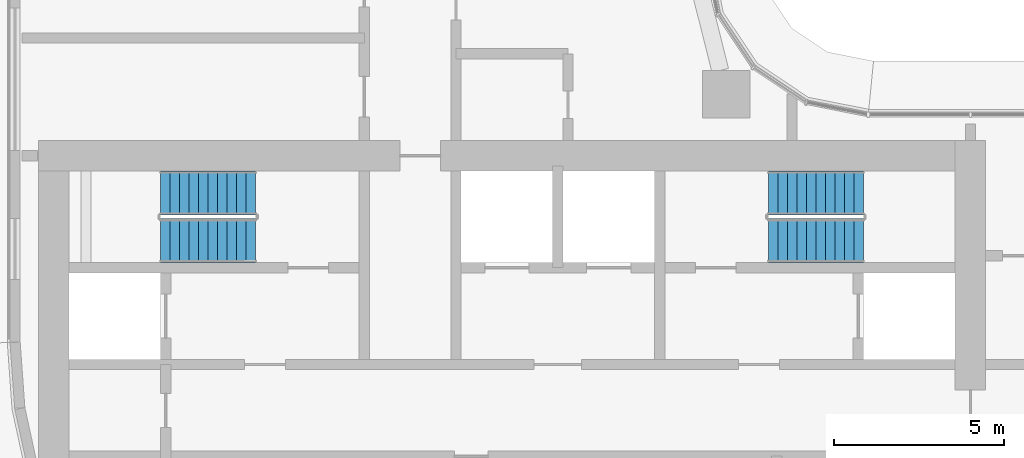
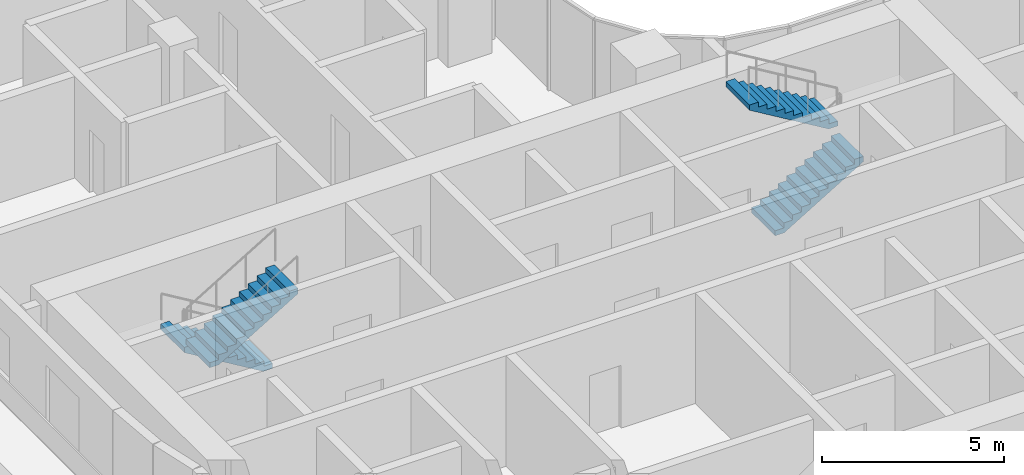
# One storey, part 28 of 39: 4 stair flights, 2 elements without a shape of their own.
"""IFC4 building model written with IfcOpenShell, lengths in metres."""

from ifc_helpers import new_model, si_unit, direction, frame, origin, place, context, subcontext, project, spatial, triangles, source, transform, mapped, material, type_object, element, aggregate, save


model = new_model("IFC4")

# Units and contexts
model_context = context("Model", 3, precision=1e-05, world=origin(), true_north=direction((0.0, 1.0)))
body_context = subcontext(model_context, "Body", "Model", "MODEL_VIEW")
ifc_project = project(units=[si_unit("LENGTHUNIT", "METRE"), si_unit("AREAUNIT", "SQUARE_METRE"), si_unit("VOLUMEUNIT", "CUBIC_METRE"), si_unit("PLANEANGLEUNIT", "RADIAN"), si_unit("MASSUNIT", "GRAM", prefix="KILO")], contexts=[model_context])

# Site, building, storey
site_placement = place(None, origin())
site = spatial("IfcSite", under=ifc_project, at=site_placement, CompositionType="ELEMENT")
building_placement = place(site_placement, origin())
building = spatial("IfcBuilding", under=site, at=building_placement, Name="Ogive Portal Towers", CompositionType="ELEMENT")
storey_placement = place(building_placement, frame((0.0, 0.0, 44.60009765625)))
storey = spatial("IfcBuildingStorey", under=building, at=storey_placement, Name="L09", CompositionType="ELEMENT", Elevation=44.60009765625)

# Stair, stair flights
ifc_material = material(Name="Concrete C40/50", Category="concrete")
stair_type = type_object("IfcStairType", Name="INT-STAIR", PredefinedType="HALF_TURN_STAIR", material=ifc_material)
stair_1_placement = place(storey_placement, origin())
stair_1 = element("IfcStair", 1, at=stair_1_placement, inside=storey, type_object=stair_type, Name="L09 Exit Stair ST-A1", PredefinedType="HALF_TURN_STAIR")
stair_flight_type = type_object("IfcStairFlightType", Name="INT-FLIGHT", PredefinedType="STRAIGHT", material=ifc_material)
shared_shape = source(origin(), body_context, "Body", "Tessellation", [
    triangles([(0.0, -0.650146484375, 0.0), (0.0, -0.376220703125, 0.0), (0.0, -0.192626953125, 0.0), (0.0, -0.081298828125, 0.0), (0.0, -0.024169921875, 0.0), (0.0, -0.003173828125, 0.0), (0.0, 0.0, 0.0), (0.0, 0.0029296875, 0.0), (0.0, 0.02392578125, 0.0), (0.0, 0.0810546875, 0.0), (0.0, 0.1923828125, 0.0), (0.0, 0.3759765625, 0.0), (0.0, 0.64990234375, 0.0), (0.0, -0.650146484375, 0.168212890625), (0.0, -0.376220703125, 0.168212890625), (0.0, -0.192626953125, 0.168212890625), (0.0, -0.081298828125, 0.168212890625), (0.0, -0.024169921875, 0.168212890625), (0.0, -0.003173828125, 0.168212890625), (0.0, 0.0, 0.168212890625), (0.0, 0.0029296875, 0.168212890625), (0.0, 0.02392578125, 0.168212890625), (0.0, 0.0810546875, 0.168212890625), (0.0, 0.1923828125, 0.168212890625), (0.0, 0.3759765625, 0.168212890625), (0.0, 0.64990234375, 0.168212890625), (0.280029296875, -0.650146484375, 0.168212890625), (0.280029296875, -0.376220703125, 0.168212890625), (0.280029296875, -0.192626953125, 0.168212890625), (0.280029296875, -0.081298828125, 0.168212890625), (0.280029296875, -0.024169921875, 0.168212890625), (0.280029296875, -0.003173828125, 0.168212890625), (0.280029296875, 0.0, 0.168212890625), (0.280029296875, 0.0029296875, 0.168212890625), (0.280029296875, 0.02392578125, 0.168212890625), (0.280029296875, 0.0810546875, 0.168212890625), (0.280029296875, 0.1923828125, 0.168212890625), (0.280029296875, 0.3759765625, 0.168212890625), (0.280029296875, 0.64990234375, 0.168212890625), (0.280029296875, -0.650146484375, 0.33642578125), (0.280029296875, -0.376220703125, 0.33642578125), (0.280029296875, -0.192626953125, 0.33642578125), (0.280029296875, -0.081298828125, 0.33642578125), (0.280029296875, -0.024169921875, 0.33642578125), (0.280029296875, -0.003173828125, 0.33642578125), (0.280029296875, 0.0, 0.33642578125), (0.280029296875, 0.0029296875, 0.33642578125), (0.280029296875, 0.02392578125, 0.33642578125), (0.280029296875, 0.0810546875, 0.33642578125), (0.280029296875, 0.1923828125, 0.33642578125), (0.280029296875, 0.3759765625, 0.33642578125), (0.280029296875, 0.64990234375, 0.33642578125), (0.56005859375, -0.650146484375, 0.33642578125), (0.56005859375, -0.376220703125, 0.33642578125), (0.56005859375, -0.192626953125, 0.33642578125), (0.56005859375, -0.081298828125, 0.33642578125), (0.56005859375, -0.024169921875, 0.33642578125), (0.56005859375, -0.003173828125, 0.33642578125), (0.56005859375, 0.0, 0.33642578125), (0.56005859375, 0.0029296875, 0.33642578125), (0.56005859375, 0.02392578125, 0.33642578125), (0.56005859375, 0.0810546875, 0.33642578125), (0.56005859375, 0.1923828125, 0.33642578125), (0.56005859375, 0.3759765625, 0.33642578125), (0.56005859375, 0.64990234375, 0.33642578125), (0.56005859375, -0.650146484375, 0.504638671875), (0.56005859375, -0.376220703125, 0.504638671875), (0.56005859375, -0.192626953125, 0.504638671875), (0.56005859375, -0.081298828125, 0.504638671875), (0.56005859375, -0.024169921875, 0.504638671875), (0.56005859375, -0.003173828125, 0.504638671875), (0.56005859375, 0.0, 0.504638671875), (0.56005859375, 0.0029296875, 0.504638671875), (0.56005859375, 0.02392578125, 0.504638671875), (0.56005859375, 0.0810546875, 0.504638671875), (0.56005859375, 0.1923828125, 0.504638671875), (0.56005859375, 0.3759765625, 0.504638671875), (0.56005859375, 0.64990234375, 0.504638671875), (0.840087890625, -0.650146484375, 0.504638671875), (0.840087890625, -0.376220703125, 0.504638671875), (0.840087890625, -0.192626953125, 0.504638671875), (0.840087890625, -0.081298828125, 0.504638671875), (0.840087890625, -0.024169921875, 0.504638671875), (0.840087890625, -0.003173828125, 0.504638671875), (0.840087890625, 0.0, 0.504638671875), (0.840087890625, 0.0029296875, 0.504638671875), (0.840087890625, 0.02392578125, 0.504638671875), (0.840087890625, 0.0810546875, 0.504638671875), (0.840087890625, 0.1923828125, 0.504638671875), (0.840087890625, 0.3759765625, 0.504638671875), (0.840087890625, 0.64990234375, 0.504638671875), (0.840087890625, -0.650146484375, 0.672607421875), (0.840087890625, -0.376220703125, 0.672607421875), (0.840087890625, -0.192626953125, 0.672607421875), (0.840087890625, -0.081298828125, 0.672607421875), (0.840087890625, -0.024169921875, 0.672607421875), (0.840087890625, -0.003173828125, 0.672607421875), (0.840087890625, 0.0, 0.672607421875), (0.840087890625, 0.0029296875, 0.672607421875), (0.840087890625, 0.02392578125, 0.672607421875), (0.840087890625, 0.0810546875, 0.672607421875), (0.840087890625, 0.1923828125, 0.672607421875), (0.840087890625, 0.3759765625, 0.672607421875), (0.840087890625, 0.64990234375, 0.672607421875), (1.1201171875, -0.650146484375, 0.672607421875), (1.1201171875, -0.376220703125, 0.672607421875), (1.1201171875, -0.192626953125, 0.672607421875), (1.1201171875, -0.081298828125, 0.672607421875), (1.1201171875, -0.024169921875, 0.672607421875), (1.1201171875, -0.003173828125, 0.672607421875), (1.1201171875, 0.0, 0.672607421875), (1.1201171875, 0.0029296875, 0.672607421875), (1.1201171875, 0.02392578125, 0.672607421875), (1.1201171875, 0.0810546875, 0.672607421875), (1.1201171875, 0.1923828125, 0.672607421875), (1.1201171875, 0.3759765625, 0.672607421875), (1.1201171875, 0.64990234375, 0.672607421875), (1.1201171875, -0.650146484375, 0.8408203125), (1.1201171875, -0.376220703125, 0.8408203125), (1.1201171875, -0.192626953125, 0.8408203125), (1.1201171875, -0.081298828125, 0.8408203125), (1.1201171875, -0.024169921875, 0.8408203125), (1.1201171875, -0.003173828125, 0.8408203125), (1.1201171875, 0.0, 0.8408203125), (1.1201171875, 0.0029296875, 0.8408203125), (1.1201171875, 0.02392578125, 0.8408203125), (1.1201171875, 0.0810546875, 0.8408203125), (1.1201171875, 0.1923828125, 0.8408203125), (1.1201171875, 0.3759765625, 0.8408203125), (1.1201171875, 0.64990234375, 0.8408203125), (1.39990234375, -0.650146484375, 0.8408203125), (1.39990234375, -0.376220703125, 0.8408203125), (1.39990234375, -0.192626953125, 0.8408203125), (1.39990234375, -0.081298828125, 0.8408203125), (1.39990234375, -0.024169921875, 0.8408203125), (1.39990234375, -0.003173828125, 0.8408203125), (1.39990234375, 0.0, 0.8408203125), (1.39990234375, 0.0029296875, 0.8408203125), (1.39990234375, 0.02392578125, 0.8408203125), (1.39990234375, 0.0810546875, 0.8408203125), (1.39990234375, 0.1923828125, 0.8408203125), (1.39990234375, 0.3759765625, 0.8408203125), (1.39990234375, 0.64990234375, 0.8408203125), (1.39990234375, -0.650146484375, 1.009033203125), (1.39990234375, -0.376220703125, 1.009033203125), (1.39990234375, -0.192626953125, 1.009033203125), (1.39990234375, -0.081298828125, 1.009033203125), (1.39990234375, -0.024169921875, 1.009033203125), (1.39990234375, -0.003173828125, 1.009033203125), (1.39990234375, 0.0, 1.009033203125), (1.39990234375, 0.0029296875, 1.009033203125), (1.39990234375, 0.02392578125, 1.009033203125), (1.39990234375, 0.0810546875, 1.009033203125), (1.39990234375, 0.1923828125, 1.009033203125), (1.39990234375, 0.3759765625, 1.009033203125), (1.39990234375, 0.64990234375, 1.009033203125), (1.679931640625, -0.650146484375, 1.009033203125), (1.679931640625, -0.376220703125, 1.009033203125), (1.679931640625, -0.192626953125, 1.009033203125), (1.679931640625, -0.081298828125, 1.009033203125), (1.679931640625, -0.024169921875, 1.009033203125), (1.679931640625, -0.003173828125, 1.009033203125), (1.679931640625, 0.0, 1.009033203125), (1.679931640625, 0.0029296875, 1.009033203125), (1.679931640625, 0.02392578125, 1.009033203125), (1.679931640625, 0.0810546875, 1.009033203125), (1.679931640625, 0.1923828125, 1.009033203125), (1.679931640625, 0.3759765625, 1.009033203125), (1.679931640625, 0.64990234375, 1.009033203125), (1.679931640625, -0.650146484375, 1.17724609375), (1.679931640625, -0.376220703125, 1.17724609375), (1.679931640625, -0.192626953125, 1.17724609375), (1.679931640625, -0.081298828125, 1.17724609375), (1.679931640625, -0.024169921875, 1.17724609375), (1.679931640625, -0.003173828125, 1.17724609375), (1.679931640625, 0.0, 1.17724609375), (1.679931640625, 0.0029296875, 1.17724609375), (1.679931640625, 0.02392578125, 1.17724609375), (1.679931640625, 0.0810546875, 1.17724609375), (1.679931640625, 0.1923828125, 1.17724609375), (1.679931640625, 0.3759765625, 1.17724609375), (1.679931640625, 0.64990234375, 1.17724609375), (1.9599609375, -0.650146484375, 1.17724609375), (1.9599609375, -0.376220703125, 1.17724609375), (1.9599609375, -0.192626953125, 1.17724609375), (1.9599609375, -0.081298828125, 1.17724609375), (1.9599609375, -0.024169921875, 1.17724609375), (1.9599609375, -0.003173828125, 1.17724609375), (1.9599609375, 0.0, 1.17724609375), (1.9599609375, 0.0029296875, 1.17724609375), (1.9599609375, 0.02392578125, 1.17724609375), (1.9599609375, 0.0810546875, 1.17724609375), (1.9599609375, 0.1923828125, 1.17724609375), (1.9599609375, 0.3759765625, 1.17724609375), (1.9599609375, 0.64990234375, 1.17724609375), (1.9599609375, -0.650146484375, 1.345458984375), (1.9599609375, -0.376220703125, 1.345458984375), (1.9599609375, -0.192626953125, 1.345458984375), (1.9599609375, -0.081298828125, 1.345458984375), (1.9599609375, -0.024169921875, 1.345458984375), (1.9599609375, -0.003173828125, 1.345458984375), (1.9599609375, 0.0, 1.345458984375), (1.9599609375, 0.0029296875, 1.345458984375), (1.9599609375, 0.02392578125, 1.345458984375), (1.9599609375, 0.0810546875, 1.345458984375), (1.9599609375, 0.1923828125, 1.345458984375), (1.9599609375, 0.3759765625, 1.345458984375), (1.9599609375, 0.64990234375, 1.345458984375), (2.239990234375, -0.650146484375, 1.345458984375), (2.239990234375, -0.376220703125, 1.345458984375), (2.239990234375, -0.192626953125, 1.345458984375), (2.239990234375, -0.081298828125, 1.345458984375), (2.239990234375, -0.024169921875, 1.345458984375), (2.239990234375, -0.003173828125, 1.345458984375), (2.239990234375, 0.0, 1.345458984375), (2.239990234375, 0.0029296875, 1.345458984375), (2.239990234375, 0.02392578125, 1.345458984375), (2.239990234375, 0.0810546875, 1.345458984375), (2.239990234375, 0.1923828125, 1.345458984375), (2.239990234375, 0.3759765625, 1.345458984375), (2.239990234375, 0.64990234375, 1.345458984375), (2.239990234375, -0.650146484375, 1.513671875), (2.239990234375, -0.376220703125, 1.513671875), (2.239990234375, -0.192626953125, 1.513671875), (2.239990234375, -0.081298828125, 1.513671875), (2.239990234375, -0.024169921875, 1.513671875), (2.239990234375, -0.003173828125, 1.513671875), (2.239990234375, 0.0, 1.513671875), (2.239990234375, 0.0029296875, 1.513671875), (2.239990234375, 0.02392578125, 1.513671875), (2.239990234375, 0.0810546875, 1.513671875), (2.239990234375, 0.1923828125, 1.513671875), (2.239990234375, 0.3759765625, 1.513671875), (2.239990234375, 0.64990234375, 1.513671875), (2.52001953125, -0.650146484375, 1.513671875), (2.52001953125, -0.376220703125, 1.513671875), (2.52001953125, -0.192626953125, 1.513671875), (2.52001953125, -0.081298828125, 1.513671875), (2.52001953125, -0.024169921875, 1.513671875), (2.52001953125, -0.003173828125, 1.513671875), (2.52001953125, 0.0, 1.513671875), (2.52001953125, 0.0029296875, 1.513671875), (2.52001953125, 0.02392578125, 1.513671875), (2.52001953125, 0.0810546875, 1.513671875), (2.52001953125, 0.1923828125, 1.513671875), (2.52001953125, 0.3759765625, 1.513671875), (2.52001953125, 0.64990234375, 1.513671875), (2.52001953125, -0.650146484375, 1.681884765625), (2.52001953125, -0.376220703125, 1.681884765625), (2.52001953125, -0.192626953125, 1.681884765625), (2.52001953125, -0.081298828125, 1.681884765625), (2.52001953125, -0.024169921875, 1.681884765625), (2.52001953125, -0.003173828125, 1.681884765625), (2.52001953125, 0.0, 1.681884765625), (2.52001953125, 0.0029296875, 1.681884765625), (2.52001953125, 0.02392578125, 1.681884765625), (2.52001953125, 0.0810546875, 1.681884765625), (2.52001953125, 0.1923828125, 1.681884765625), (2.52001953125, 0.3759765625, 1.681884765625), (2.52001953125, 0.64990234375, 1.681884765625), (2.800048828125, -0.650146484375, 1.681884765625), (2.800048828125, -0.376220703125, 1.681884765625), (2.800048828125, -0.192626953125, 1.681884765625), (2.800048828125, -0.081298828125, 1.681884765625), (2.800048828125, -0.024169921875, 1.681884765625), (2.800048828125, -0.003173828125, 1.681884765625), (2.800048828125, 0.0, 1.681884765625), (2.800048828125, 0.0029296875, 1.681884765625), (2.800048828125, 0.02392578125, 1.681884765625), (2.800048828125, 0.0810546875, 1.681884765625), (2.800048828125, 0.1923828125, 1.681884765625), (2.800048828125, 0.3759765625, 1.681884765625), (2.800048828125, 0.64990234375, 1.681884765625), (2.800048828125, -0.650146484375, 1.5068359375), (2.800048828125, -0.376220703125, 1.5068359375), (2.800048828125, -0.192626953125, 1.5068359375), (2.800048828125, -0.081298828125, 1.5068359375), (2.800048828125, -0.024169921875, 1.5068359375), (2.800048828125, -0.003173828125, 1.5068359375), (2.800048828125, 0.0, 1.5068359375), (2.800048828125, 0.0029296875, 1.5068359375), (2.800048828125, 0.02392578125, 1.5068359375), (2.800048828125, 0.0810546875, 1.5068359375), (2.800048828125, 0.1923828125, 1.5068359375), (2.800048828125, 0.3759765625, 1.5068359375), (2.800048828125, 0.64990234375, 1.5068359375), (0.291015625, -0.650146484375, 0.0), (0.291015625, -0.376220703125, 0.0), (0.291015625, -0.192626953125, 0.0), (0.291015625, -0.081298828125, 0.0), (0.291015625, -0.024169921875, 0.0), (0.291015625, -0.003173828125, 0.0), (0.291015625, 0.0, 0.0), (0.291015625, 0.0029296875, 0.0), (0.291015625, 0.02392578125, 0.0), (0.291015625, 0.0810546875, 0.0), (0.291015625, 0.1923828125, 0.0), (0.291015625, 0.3759765625, 0.0), (0.291015625, 0.64990234375, 0.0)], [[1, 14, 15], [1, 15, 2], [2, 15, 16], [2, 16, 3], [3, 16, 17], [3, 17, 4], [4, 17, 18], [4, 18, 5], [5, 18, 19], [5, 19, 6], [6, 19, 20], [6, 20, 7], [7, 20, 21], [7, 21, 8], [8, 21, 22], [8, 22, 9], [9, 22, 23], [9, 23, 10], [10, 23, 24], [10, 24, 11], [11, 24, 25], [11, 25, 12], [12, 25, 26], [12, 26, 13], [14, 27, 28], [14, 28, 15], [15, 28, 29], [15, 29, 16], [16, 29, 30], [16, 30, 17], [17, 30, 31], [17, 31, 18], [18, 31, 32], [18, 32, 19], [19, 32, 33], [19, 33, 20], [20, 33, 34], [20, 34, 21], [21, 34, 35], [21, 35, 22], [22, 35, 36], [22, 36, 23], [23, 36, 37], [23, 37, 24], [24, 37, 38], [24, 38, 25], [25, 38, 39], [25, 39, 26], [27, 40, 41], [27, 41, 28], [28, 41, 42], [28, 42, 29], [29, 42, 43], [29, 43, 30], [30, 43, 44], [30, 44, 31], [31, 44, 45], [31, 45, 32], [32, 45, 46], [32, 46, 33], [33, 46, 47], [33, 47, 34], [34, 47, 48], [34, 48, 35], [35, 48, 49], [35, 49, 36], [36, 49, 50], [36, 50, 37], [37, 50, 51], [37, 51, 38], [38, 51, 52], [38, 52, 39], [40, 53, 54], [40, 54, 41], [41, 54, 55], [41, 55, 42], [42, 55, 56], [42, 56, 43], [43, 56, 57], [43, 57, 44], [44, 57, 58], [44, 58, 45], [45, 58, 59], [45, 59, 46], [46, 59, 60], [46, 60, 47], [47, 60, 61], [47, 61, 48], [48, 61, 62], [48, 62, 49], [49, 62, 63], [49, 63, 50], [50, 63, 64], [50, 64, 51], [51, 64, 65], [51, 65, 52], [53, 66, 67], [53, 67, 54], [54, 67, 68], [54, 68, 55], [55, 68, 69], [55, 69, 56], [56, 69, 70], [56, 70, 57], [57, 70, 71], [57, 71, 58], [58, 71, 72], [58, 72, 59], [59, 72, 73], [59, 73, 60], [60, 73, 74], [60, 74, 61], [61, 74, 75], [61, 75, 62], [62, 75, 76], [62, 76, 63], [63, 76, 77], [63, 77, 64], [64, 77, 78], [64, 78, 65], [66, 79, 80], [66, 80, 67], [67, 80, 81], [67, 81, 68], [68, 81, 82], [68, 82, 69], [69, 82, 83], [69, 83, 70], [70, 83, 84], [70, 84, 71], [71, 84, 85], [71, 85, 72], [72, 85, 86], [72, 86, 73], [73, 86, 87], [73, 87, 74], [74, 87, 88], [74, 88, 75], [75, 88, 89], [75, 89, 76], [76, 89, 90], [76, 90, 77], [77, 90, 91], [77, 91, 78], [79, 92, 93], [79, 93, 80], [80, 93, 94], [80, 94, 81], [81, 94, 95], [81, 95, 82], [82, 95, 96], [82, 96, 83], [83, 96, 97], [83, 97, 84], [84, 97, 98], [84, 98, 85], [85, 98, 99], [85, 99, 86], [86, 99, 100], [86, 100, 87], [87, 100, 101], [87, 101, 88], [88, 101, 102], [88, 102, 89], [89, 102, 103], [89, 103, 90], [90, 103, 104], [90, 104, 91], [92, 105, 106], [92, 106, 93], [93, 106, 107], [93, 107, 94], [94, 107, 108], [94, 108, 95], [95, 108, 109], [95, 109, 96], [96, 109, 110], [96, 110, 97], [97, 110, 111], [97, 111, 98], [98, 111, 112], [98, 112, 99], [99, 112, 113], [99, 113, 100], [100, 113, 114], [100, 114, 101], [101, 114, 115], [101, 115, 102], [102, 115, 116], [102, 116, 103], [103, 116, 117], [103, 117, 104], [105, 118, 119], [105, 119, 106], [106, 119, 120], [106, 120, 107], [107, 120, 121], [107, 121, 108], [108, 121, 122], [108, 122, 109], [109, 122, 123], [109, 123, 110], [110, 123, 124], [110, 124, 111], [111, 124, 125], [111, 125, 112], [112, 125, 126], [112, 126, 113], [113, 126, 127], [113, 127, 114], [114, 127, 128], [114, 128, 115], [115, 128, 129], [115, 129, 116], [116, 129, 130], [116, 130, 117], [118, 131, 132], [118, 132, 119], [119, 132, 133], [119, 133, 120], [120, 133, 134], [120, 134, 121], [121, 134, 135], [121, 135, 122], [122, 135, 136], [122, 136, 123], [123, 136, 137], [123, 137, 124], [124, 137, 138], [124, 138, 125], [125, 138, 139], [125, 139, 126], [126, 139, 140], [126, 140, 127], [127, 140, 141], [127, 141, 128], [128, 141, 142], [128, 142, 129], [129, 142, 143], [129, 143, 130], [131, 144, 145], [131, 145, 132], [132, 145, 146], [132, 146, 133], [133, 146, 147], [133, 147, 134], [134, 147, 148], [134, 148, 135], [135, 148, 149], [135, 149, 136], [136, 149, 150], [136, 150, 137], [137, 150, 151], [137, 151, 138], [138, 151, 152], [138, 152, 139], [139, 152, 153], [139, 153, 140], [140, 153, 154], [140, 154, 141], [141, 154, 155], [141, 155, 142], [142, 155, 156], [142, 156, 143], [144, 157, 158], [144, 158, 145], [145, 158, 159], [145, 159, 146], [146, 159, 160], [146, 160, 147], [147, 160, 161], [147, 161, 148], [148, 161, 162], [148, 162, 149], [149, 162, 163], [149, 163, 150], [150, 163, 164], [150, 164, 151], [151, 164, 165], [151, 165, 152], [152, 165, 166], [152, 166, 153], [153, 166, 167], [153, 167, 154], [154, 167, 168], [154, 168, 155], [155, 168, 169], [155, 169, 156], [157, 170, 171], [157, 171, 158], [158, 171, 172], [158, 172, 159], [159, 172, 173], [159, 173, 160], [160, 173, 174], [160, 174, 161], [161, 174, 175], [161, 175, 162], [162, 175, 176], [162, 176, 163], [163, 176, 177], [163, 177, 164], [164, 177, 178], [164, 178, 165], [165, 178, 179], [165, 179, 166], [166, 179, 180], [166, 180, 167], [167, 180, 181], [167, 181, 168], [168, 181, 182], [168, 182, 169], [170, 183, 184], [170, 184, 171], [171, 184, 185], [171, 185, 172], [172, 185, 186], [172, 186, 173], [173, 186, 187], [173, 187, 174], [174, 187, 188], [174, 188, 175], [175, 188, 189], [175, 189, 176], [176, 189, 190], [176, 190, 177], [177, 190, 191], [177, 191, 178], [178, 191, 192], [178, 192, 179], [179, 192, 193], [179, 193, 180], [180, 193, 194], [180, 194, 181], [181, 194, 195], [181, 195, 182], [183, 196, 197], [183, 197, 184], [184, 197, 198], [184, 198, 185], [185, 198, 199], [185, 199, 186], [186, 199, 200], [186, 200, 187], [187, 200, 201], [187, 201, 188], [188, 201, 202], [188, 202, 189], [189, 202, 203], [189, 203, 190], [190, 203, 204], [190, 204, 191], [191, 204, 205], [191, 205, 192], [192, 205, 206], [192, 206, 193], [193, 206, 207], [193, 207, 194], [194, 207, 208], [194, 208, 195], [196, 209, 210], [196, 210, 197], [197, 210, 211], [197, 211, 198], [198, 211, 212], [198, 212, 199], [199, 212, 213], [199, 213, 200], [200, 213, 214], [200, 214, 201], [201, 214, 215], [201, 215, 202], [202, 215, 216], [202, 216, 203], [203, 216, 217], [203, 217, 204], [204, 217, 218], [204, 218, 205], [205, 218, 219], [205, 219, 206], [206, 219, 220], [206, 220, 207], [207, 220, 221], [207, 221, 208], [209, 222, 223], [209, 223, 210], [210, 223, 224], [210, 224, 211], [211, 224, 225], [211, 225, 212], [212, 225, 226], [212, 226, 213], [213, 226, 227], [213, 227, 214], [214, 227, 228], [214, 228, 215], [215, 228, 229], [215, 229, 216], [216, 229, 230], [216, 230, 217], [217, 230, 231], [217, 231, 218], [218, 231, 232], [218, 232, 219], [219, 232, 233], [219, 233, 220], [220, 233, 234], [220, 234, 221], [222, 235, 236], [222, 236, 223], [223, 236, 237], [223, 237, 224], [224, 237, 238], [224, 238, 225], [225, 238, 239], [225, 239, 226], [226, 239, 240], [226, 240, 227], [227, 240, 241], [227, 241, 228], [228, 241, 242], [228, 242, 229], [229, 242, 243], [229, 243, 230], [230, 243, 244], [230, 244, 231], [231, 244, 245], [231, 245, 232], [232, 245, 246], [232, 246, 233], [233, 246, 247], [233, 247, 234], [235, 248, 249], [235, 249, 236], [236, 249, 250], [236, 250, 237], [237, 250, 251], [237, 251, 238], [238, 251, 252], [238, 252, 239], [239, 252, 253], [239, 253, 240], [240, 253, 254], [240, 254, 241], [241, 254, 255], [241, 255, 242], [242, 255, 256], [242, 256, 243], [243, 256, 257], [243, 257, 244], [244, 257, 258], [244, 258, 245], [245, 258, 259], [245, 259, 246], [246, 259, 260], [246, 260, 247], [248, 261, 262], [248, 262, 249], [249, 262, 263], [249, 263, 250], [250, 263, 264], [250, 264, 251], [251, 264, 265], [251, 265, 252], [252, 265, 266], [252, 266, 253], [253, 266, 267], [253, 267, 254], [254, 267, 268], [254, 268, 255], [255, 268, 269], [255, 269, 256], [256, 269, 270], [256, 270, 257], [257, 270, 271], [257, 271, 258], [258, 271, 272], [258, 272, 259], [259, 272, 273], [259, 273, 260], [261, 274, 275], [261, 275, 262], [262, 275, 276], [262, 276, 263], [263, 276, 277], [263, 277, 264], [264, 277, 278], [264, 278, 265], [265, 278, 279], [265, 279, 266], [266, 279, 280], [266, 280, 267], [267, 280, 281], [267, 281, 268], [268, 281, 282], [268, 282, 269], [269, 282, 283], [269, 283, 270], [270, 283, 284], [270, 284, 271], [271, 284, 285], [271, 285, 272], [272, 285, 286], [272, 286, 273], [274, 287, 288], [274, 288, 275], [275, 288, 289], [275, 289, 276], [276, 289, 290], [276, 290, 277], [277, 290, 291], [277, 291, 278], [278, 291, 292], [278, 292, 279], [279, 292, 293], [279, 293, 280], [280, 293, 294], [280, 294, 281], [281, 294, 295], [281, 295, 282], [282, 295, 296], [282, 296, 283], [283, 296, 297], [283, 297, 284], [284, 297, 298], [284, 298, 285], [285, 298, 299], [285, 299, 286], [287, 1, 2], [287, 2, 288], [288, 2, 3], [288, 3, 289], [289, 3, 4], [289, 4, 290], [290, 4, 5], [290, 5, 291], [291, 5, 6], [291, 6, 292], [292, 6, 7], [292, 7, 293], [293, 7, 8], [293, 8, 294], [294, 8, 9], [294, 9, 295], [295, 9, 10], [295, 10, 296], [296, 10, 11], [296, 11, 297], [297, 11, 12], [297, 12, 298], [298, 12, 13], [298, 13, 299], [1, 287, 274], [13, 286, 299], [274, 261, 248], [286, 260, 273], [274, 248, 235], [286, 247, 260], [274, 235, 222], [286, 234, 247], [274, 222, 209], [286, 221, 234], [209, 196, 183], [221, 195, 208], [274, 209, 183], [286, 195, 221], [183, 170, 157], [195, 169, 182], [274, 183, 157], [286, 169, 195], [157, 144, 131], [169, 143, 156], [274, 157, 131], [286, 143, 169], [131, 118, 105], [143, 117, 130], [274, 131, 105], [286, 117, 143], [1, 274, 105], [13, 117, 286], [105, 92, 79], [117, 91, 104], [79, 66, 53], [91, 65, 78], [105, 79, 53], [117, 65, 91], [53, 40, 27], [65, 39, 52], [105, 53, 27], [117, 39, 65], [1, 105, 27], [13, 39, 117], [27, 14, 1], [39, 13, 26]], closed=True),
])
stair_flight_1_placement = place(storey_placement, frame((37.449951171875, 38.39990234375, 0.0), z_axis=(0.0, 0.0, 1.0), x_axis=(-1.0, 0.0, 0.0)))
stair_flight_1 = element("IfcStairFlight", 2, at=stair_flight_1_placement, type_object=stair_flight_type, Name="ST-A1 flight 1", NumberOfRisers=11, NumberOfTreads=10, PredefinedType="STRAIGHT", RiserHeight=0.168181818, TreadLength=0.28, context=body_context, shape_type="MappedRepresentation", body=[
    mapped(shared_shape, transform((0.0, 0.0, 0.0), scale=1.0)),
])
stair_flight_2_placement = place(storey_placement, frame((34.64990234375, 37.0, 1.849853515625), z_axis=(0.0, 0.0, 1.0), x_axis=(1.0, 0.0, 0.0)))
stair_flight_2 = element("IfcStairFlight", 3, at=stair_flight_2_placement, type_object=stair_flight_type, Name="ST-A1 flight 2", NumberOfRisers=11, NumberOfTreads=10, PredefinedType="STRAIGHT", RiserHeight=0.168181818, TreadLength=0.28, context=body_context, shape_type="MappedRepresentation", body=[
    mapped(shared_shape, transform((0.0, 0.0, 0.0), scale=1.0)),
])
aggregate(stair_1, [stair_flight_1, stair_flight_2])

stair_2_placement = place(storey_placement, origin())
stair_2 = element("IfcStair", 4, at=stair_2_placement, inside=storey, type_object=stair_type, Name="L09 Exit Stair ST-A2", PredefinedType="HALF_TURN_STAIR")
stair_flight_3_placement = place(storey_placement, frame((52.550048828125, 37.0, 0.0), z_axis=(0.0, 0.0, 1.0), x_axis=(1.0, 0.0, 0.0)))
stair_flight_3 = element("IfcStairFlight", 5, at=stair_flight_3_placement, type_object=stair_flight_type, Name="ST-A2 flight 1", NumberOfRisers=11, NumberOfTreads=10, PredefinedType="STRAIGHT", RiserHeight=0.168181818, TreadLength=0.28, context=body_context, shape_type="MappedRepresentation", body=[
    mapped(shared_shape, transform((0.0, 0.0, 0.0), scale=1.0)),
])
stair_flight_4_placement = place(storey_placement, frame((55.35009765625, 38.39990234375, 1.849853515625), z_axis=(0.0, 0.0, 1.0), x_axis=(-1.0, 0.0, 0.0)))
stair_flight_4 = element("IfcStairFlight", 6, at=stair_flight_4_placement, type_object=stair_flight_type, Name="ST-A2 flight 2", NumberOfRisers=11, NumberOfTreads=10, PredefinedType="STRAIGHT", RiserHeight=0.168181818, TreadLength=0.28, context=body_context, shape_type="MappedRepresentation", body=[
    mapped(shared_shape, transform((0.0, 0.0, 0.0), scale=1.0)),
])
aggregate(stair_2, [stair_flight_3, stair_flight_4])

save(model, "model.ifc")
